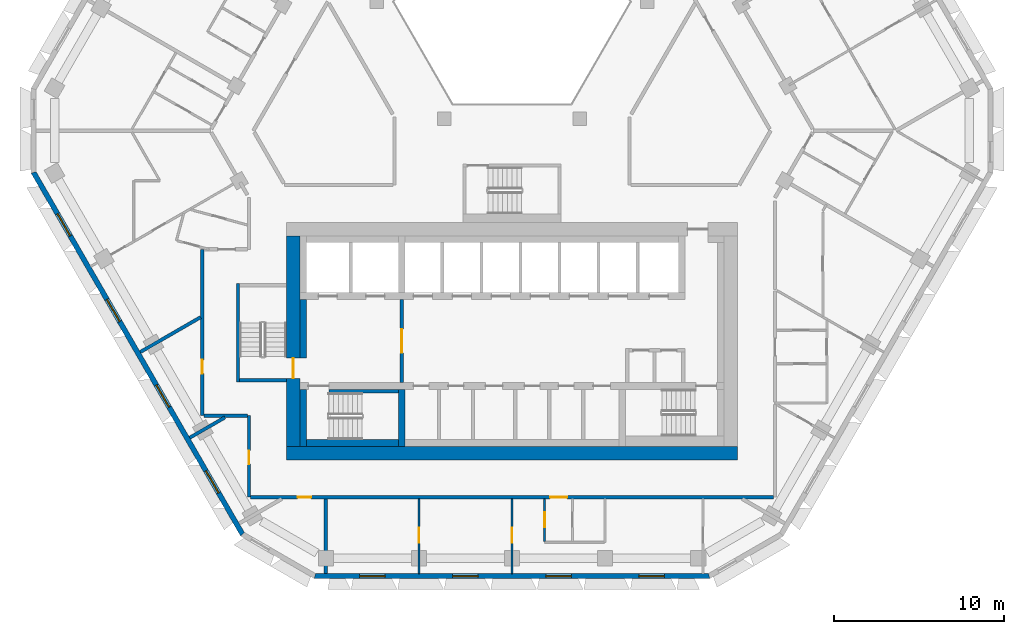
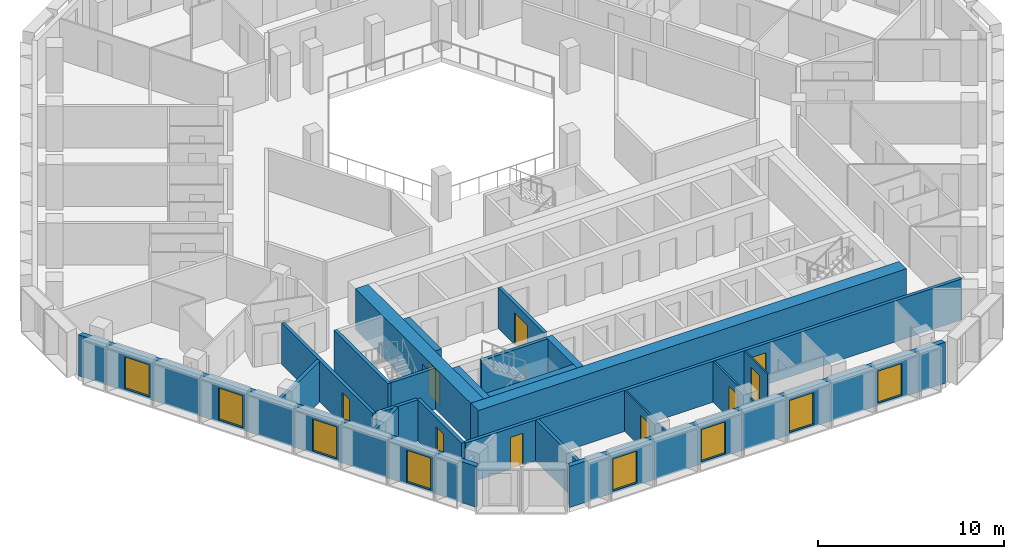
# One storey, part 3 of 15: 22 walls, 9 doors, 8 windows, 17 openings.
"""IFC4 building model written with IfcOpenShell, lengths in metres."""

import ifcopenshell
import ifcopenshell.guid

model = None  # the IFC model being written
_history = None  # IfcOwnerHistory: only IFC2X3 demands one
_inside = {}  # id of a spatial element -> (the spatial element, [elements in it])
_under = {}  # id of a project, library or spatial element -> (it, [spatial elements below it])
_declared = {}  # id of a project -> (the project, [libraries it declares])
_typed = {}  # id of a type object -> (the type object, [elements of that type])
_made_of = {}  # id of a material, layer set ... -> (it, [elements and type objects made of it])


def new_model(schema):
    """Start an empty IFC model of exactly this schema.

    Asked for "IFC4X3", IfcOpenShell would pick the latest addendum, in which some entities
    have other attributes; the version numbers below select the first issue.
    IFC2X3 requires an IfcOwnerHistory on every rooted entity: one is made here for all.
    """
    global model, _history
    if schema == "IFC4X3":
        model = ifcopenshell.file(schema_version=(4, 3, 0, 0))
    else:
        model = ifcopenshell.file(schema=schema)
    _inside.clear()
    _under.clear()
    _declared.clear()
    _typed.clear()
    _made_of.clear()
    _history = None
    if model.schema == "IFC2X3":
        org = make("IfcOrganization", Name="unknown")
        user = make(
            "IfcPersonAndOrganization",
            ThePerson=make("IfcPerson", FamilyName="unknown"),
            TheOrganization=org,
        )
        app = make(
            "IfcApplication",
            ApplicationDeveloper=org,
            Version="unknown",
            ApplicationFullName="unknown",
            ApplicationIdentifier="unknown",
        )
        _history = make(
            "IfcOwnerHistory",
            OwningUser=user,
            OwningApplication=app,
            ChangeAction="ADDED",
            CreationDate=0,
        )
    return model


def make(cls, **values):
    """One entity of the class cls with the attributes given. An attribute that is None is left unset."""
    return model.create_entity(
        cls, **{name: value for name, value in values.items() if value is not None}
    )


def rooted(cls, **values):
    """An entity with a GlobalId (a new one), such as an element, a storey or a relation."""
    return make(cls, GlobalId=ifcopenshell.guid.new(), OwnerHistory=_history, **values)


def si_unit(unit_type, name, prefix=None):
    """IfcSIUnit, for example si_unit("LENGTHUNIT", "METRE", prefix="MILLI")."""
    return make("IfcSIUnit", UnitType=unit_type, Prefix=prefix, Name=name)


def assignment(units):
    """IfcUnitAssignment: the units of a project."""
    return None if units is None else make("IfcUnitAssignment", Units=units)


def point(xyz):
    """IfcCartesianPoint."""
    return None if xyz is None else make("IfcCartesianPoint", Coordinates=xyz)


def direction(xyz):
    """IfcDirection."""
    return None if xyz is None else make("IfcDirection", DirectionRatios=xyz)


def frame(location, z_axis=None, x_axis=None):
    """IfcAxis2Placement3D, a coordinate frame: its origin and axes. An axis left out is left unset."""
    return make(
        "IfcAxis2Placement3D",
        Location=point(location),
        Axis=direction(z_axis),
        RefDirection=direction(x_axis),
    )


def frame_2d(location, x_axis=None):
    """IfcAxis2Placement2D, a coordinate frame in the plane: its origin and x axis."""
    return make(
        "IfcAxis2Placement2D", Location=point(location), RefDirection=direction(x_axis)
    )


def origin():
    """The frame at (0, 0, 0) with its axes left unset."""
    return frame((0.0, 0.0, 0.0))


def place(relative_to, where):
    """IfcLocalPlacement: puts the frame where relative to a parent placement (None: the world)."""
    return make(
        "IfcLocalPlacement", PlacementRelTo=relative_to, RelativePlacement=where
    )


def context(
    kind, dimensions, precision=None, world=None, true_north=None, identifier=None
):
    """IfcGeometricRepresentationContext, for example the 3D "Model" context."""
    return make(
        "IfcGeometricRepresentationContext",
        ContextIdentifier=identifier,
        ContextType=kind,
        CoordinateSpaceDimension=dimensions,
        Precision=precision,
        WorldCoordinateSystem=world,
        TrueNorth=true_north,
    )


def subcontext(parent, identifier, kind, view, scale=None):
    """IfcGeometricRepresentationSubContext, for example "Body" below "Model"."""
    return make(
        "IfcGeometricRepresentationSubContext",
        ContextIdentifier=identifier,
        ContextType=kind,
        ParentContext=parent,
        TargetScale=scale,
        TargetView=view,
    )


def project(units=None, contexts=None):
    """IfcProject with its units and contexts."""
    return rooted(
        "IfcProject",
        Name="project",
        RepresentationContexts=contexts,
        UnitsInContext=assignment(units),
    )


def spatial(cls, under=None, at=None, **own):
    """A site, building, storey or space (cls), placed at a placement, below another one or the project."""
    s = rooted(cls, ObjectPlacement=at, **own)
    if under is not None:
        _under.setdefault(under.id(), (under, []))[1].append(s)
    return s


def polyline(points):
    """IfcPolyline through the points."""
    return make("IfcPolyline", Points=[point(p) for p in points])


def profile(cls, at=None, kind="AREA", **sizes):
    """A parametric profile (cls). Its sizes go by their IFC names, for example OverallWidth=200.0."""
    return make(cls, ProfileType=kind, Position=at, **sizes)


def rectangle(**sizes):
    """IfcRectangleProfileDef."""
    return profile("IfcRectangleProfileDef", **sizes)


def outline(outer, holes=None, kind="AREA"):
    """IfcArbitraryClosedProfileDef: a profile drawn as a closed curve; with holes, ...WithVoids."""
    if holes is None:
        return make("IfcArbitraryClosedProfileDef", ProfileType=kind, OuterCurve=outer)
    return make(
        "IfcArbitraryProfileDefWithVoids",
        ProfileType=kind,
        OuterCurve=outer,
        InnerCurves=holes,
    )


def extrude(swept, where, along, depth):
    """IfcExtrudedAreaSolid: the profile swept, set in the frame where, extruded along a direction by depth."""
    return make(
        "IfcExtrudedAreaSolid",
        SweptArea=swept,
        Position=where,
        ExtrudedDirection=direction(along),
        Depth=depth,
    )


def shape(context_of_items, identifier, shape_type, items):
    """IfcShapeRepresentation: the items that make up one representation, for example the "Body"."""
    return make(
        "IfcShapeRepresentation",
        ContextOfItems=context_of_items,
        RepresentationIdentifier=identifier,
        RepresentationType=shape_type,
        Items=items,
    )


def material(Name=None, Category=None):
    """IfcMaterial."""
    return make("IfcMaterial", Name=Name, Category=Category)


def layer(
    of_material, thickness, ventilated=None, Name=None, Category=None, Priority=None
):
    """IfcMaterialLayer: one layer of a wall or slab, of a material (None: an air gap)."""
    return make(
        "IfcMaterialLayer",
        Material=of_material,
        LayerThickness=thickness,
        IsVentilated=ventilated,
        Name=Name,
        Category=Category,
        Priority=Priority,
    )


def layer_set(layers, Name=None):
    """IfcMaterialLayerSet."""
    return make("IfcMaterialLayerSet", MaterialLayers=layers, LayerSetName=Name)


def made_of(thing, what):
    """Note that an element or type object is made of a material, layer set ...; save() writes the relation."""
    if what is not None:
        _made_of.setdefault(what.id(), (what, []))[1].append(thing)
    return thing


def type_object(cls, material=None, **own):
    """A type object (cls), such as IfcWallType, which elements share."""
    return made_of(rooted(cls, **own), material)


def element(
    cls,
    number,
    at=None,
    inside=None,
    cuts=None,
    type_object=None,
    material=None,
    context=None,
    identifier="Body",
    shape_type=None,
    held_by="IfcProductDefinitionShape",
    body=None,
    shapes=None,
    **own,
):
    """One element of the class cls, such as IfcWall. Its Tag is "e" and its number.

    at: its placement. inside: the storey or other place that contains it. cuts: it is an
    opening in that element (IfcRelVoidsElement). A single representation is given by context,
    identifier, shape_type and body (its items); several are given by shapes. held_by: the class
    of the entity that holds the representations. save() writes the other relations.
    """
    e = rooted(cls, Tag="e%d" % number, ObjectPlacement=at, **own)
    if body is not None:
        shapes = [shape(context, identifier, shape_type, body)]
    if shapes is not None:
        e.Representation = make(held_by, Representations=shapes)
    if inside is not None:
        _inside.setdefault(inside.id(), (inside, []))[1].append(e)
    if cuts is not None:
        rooted(
            "IfcRelVoidsElement", RelatingBuildingElement=cuts, RelatedOpeningElement=e
        )
    if type_object is not None:
        _typed.setdefault(type_object.id(), (type_object, []))[1].append(e)
    return made_of(e, material)


def fill(opening, filler):
    """IfcRelFillsElement: the door or window that sits in an opening."""
    return rooted(
        "IfcRelFillsElement",
        RelatingOpeningElement=opening,
        RelatedBuildingElement=filler,
    )


def aggregate(whole, parts):
    """IfcRelAggregates: a whole, such as a stair, and the parts it consists of."""
    return rooted("IfcRelAggregates", RelatingObject=whole, RelatedObjects=parts)


def save(model, path):
    """Write the relations noted so far, then the file.

    IfcRelAggregates (storeys below a building ...), IfcRelContainedInSpatialStructure (elements
    in a storey), IfcRelDefinesByType, IfcRelAssociatesMaterial and IfcRelDeclares: one each for
    every whole, place, type object, material and project.
    """
    for whole, parts in _under.values():
        aggregate(whole, parts)
    for where, things in _inside.values():
        rooted(
            "IfcRelContainedInSpatialStructure",
            RelatedElements=things,
            RelatingStructure=where,
        )
    for kind, things in _typed.values():
        rooted("IfcRelDefinesByType", RelatedObjects=things, RelatingType=kind)
    for what, things in _made_of.values():
        rooted("IfcRelAssociatesMaterial", RelatedObjects=things, RelatingMaterial=what)
    for by, libraries in _declared.values():
        rooted("IfcRelDeclares", RelatingContext=by, RelatedDefinitions=libraries)
    model.write(path)


model = new_model("IFC4")

# Units and contexts
model_context = context("Model", 3, precision=1e-05, world=origin(), true_north=direction((0.0, 1.0)))
body_context = subcontext(model_context, "Body", "Model", "MODEL_VIEW")
ifc_project = project(units=[si_unit("LENGTHUNIT", "METRE"), si_unit("AREAUNIT", "SQUARE_METRE"), si_unit("VOLUMEUNIT", "CUBIC_METRE"), si_unit("PLANEANGLEUNIT", "RADIAN"), si_unit("MASSUNIT", "GRAM", prefix="KILO")], contexts=[model_context])

# Site, building, storey
site_placement = place(None, origin())
site = spatial("IfcSite", under=ifc_project, at=site_placement, CompositionType="ELEMENT")
building_placement = place(site_placement, origin())
building = spatial("IfcBuilding", under=site, at=building_placement, Name="Beryl Residences", CompositionType="ELEMENT")
storey_placement = place(building_placement, frame((0.0, 0.0, 135.60009765625)))
storey = spatial("IfcBuildingStorey", under=building, at=storey_placement, Name="L41", CompositionType="ELEMENT", Elevation=135.60009765625)

# Wall, openings, windows
ifc_material_1 = material(Name="Composite metal panel with mineral wool insulation")
ifc_layer_1 = layer(ifc_material_1, 0.300048828125)
ifc_layer_set_1 = layer_set([ifc_layer_1], Name="ES1 pale metal composite panel wall 300 mm")
wall_type_1 = type_object("IfcWallType", Name="ES1 pale metal composite panel wall 300 mm", PredefinedType="SOLIDWALL", material=ifc_layer_set_1)
wall_1_placement = place(storey_placement, frame((-28.218017578125, -2.02490234375, 0.0), z_axis=(0.0, 0.0, 1.0), x_axis=(0.500017503135, -0.866015298109, 0.0)))
wall_1 = element("IfcWall", 1, at=wall_1_placement, inside=storey, type_object=wall_type_1, Name="ES1 external wall L41 SW", PredefinedType="SOLIDWALL", context=body_context, shape_type="SweptSolid", body=[
    extrude(outline(polyline([(0.0, -0.14990234375), (24.7109375, -0.14990234375), (24.630615234375, 0.14990234375), (0.080322265625, 0.14990234375), (0.0, -0.14990234375)])), origin(), (0.0, 0.0, 1.0), 2.699951171875),
])
opening_1_placement = place(wall_1_placement, frame((2.85693359375, 0.0, 0.14990234375)))
opening_1 = element("IfcOpeningElement", 2, at=opening_1_placement, cuts=wall_1, Name="Opening W1", PredefinedType="OPENING", context=body_context, shape_type="SweptSolid", body=[
    extrude(rectangle(XDim=1.5, YDim=2.10009765625, at=frame_2d((0.75, 1.050048828125))), frame((0.0, 0.159912109375, 0.0), z_axis=(0.0, -1.0, 0.0), x_axis=(1.0, 0.0, 0.0)), (0.0, 0.0, 1.0), 0.320068359375),
])
opening_2_placement = place(wall_1_placement, frame((8.68896484375, 0.0, 0.14990234375)))
opening_2 = element("IfcOpeningElement", 3, at=opening_2_placement, cuts=wall_1, Name="Opening W1", PredefinedType="OPENING", context=body_context, shape_type="SweptSolid", body=[
    extrude(rectangle(XDim=1.5, YDim=2.10009765625, at=frame_2d((0.75, 1.050048828125))), frame((0.0, 0.159912109375, 0.0), z_axis=(0.0, -1.0, 0.0), x_axis=(1.0, 0.0, 0.0)), (0.0, 0.0, 1.0), 0.320068359375),
])
opening_3_placement = place(wall_1_placement, frame((14.52001953125, 0.0, 0.14990234375)))
opening_3 = element("IfcOpeningElement", 4, at=opening_3_placement, cuts=wall_1, Name="Opening W1", PredefinedType="OPENING", context=body_context, shape_type="SweptSolid", body=[
    extrude(rectangle(XDim=1.5, YDim=2.10009765625, at=frame_2d((0.75, 1.050048828125))), frame((0.0, 0.159912109375, 0.0), z_axis=(0.0, -1.0, 0.0), x_axis=(1.0, 0.0, 0.0)), (0.0, 0.0, 1.0), 0.320068359375),
])
opening_4_placement = place(wall_1_placement, frame((20.35107421875, 0.0, 0.14990234375)))
opening_4 = element("IfcOpeningElement", 5, at=opening_4_placement, cuts=wall_1, Name="Opening W1", PredefinedType="OPENING", context=body_context, shape_type="SweptSolid", body=[
    extrude(rectangle(XDim=1.5, YDim=2.10009765625, at=frame_2d((0.75, 1.050048828125))), frame((0.0, 0.159912109375, 0.0), z_axis=(0.0, -1.0, 0.0), x_axis=(1.0, 0.0, 0.0)), (0.0, 0.0, 1.0), 0.320068359375),
])
ifc_material_2 = material(Name="Aluminium and clear glass", Category="aluminium")
window_type = type_object("IfcWindowType", Name="W1 cell window 1500 x 2100 mm", PartitioningType="SINGLE_PANEL", PredefinedType="WINDOW", material=ifc_material_2)
window_1_placement = place(opening_1_placement, origin())
window_1 = element("IfcWindow", 6, at=window_1_placement, inside=storey, type_object=window_type, Name="W1 window L41 SW 2", OverallHeight=2.10009765625, OverallWidth=1.5, PartitioningType="SINGLE_PANEL", PredefinedType="WINDOW", context=body_context, shape_type="SweptSolid", body=[
    extrude(rectangle(XDim=1.5, YDim=2.10009765625, at=frame_2d((0.75, 1.050048828125))), frame((0.0, 0.030029296875, 0.0), z_axis=(0.0, -1.0, 0.0), x_axis=(1.0, 0.0, 0.0)), (0.0, 0.0, 1.0), 0.06005859375),
])
fill(opening_1, window_1)
window_2_placement = place(opening_2_placement, origin())
window_2 = element("IfcWindow", 7, at=window_2_placement, inside=storey, type_object=window_type, Name="W1 window L41 SW 4", OverallHeight=2.10009765625, OverallWidth=1.5, PartitioningType="SINGLE_PANEL", PredefinedType="WINDOW", context=body_context, shape_type="SweptSolid", body=[
    extrude(rectangle(XDim=1.5, YDim=2.10009765625, at=frame_2d((0.75, 1.050048828125))), frame((0.0, 0.030029296875, 0.0), z_axis=(0.0, -1.0, 0.0), x_axis=(1.0, 0.0, 0.0)), (0.0, 0.0, 1.0), 0.06005859375),
])
fill(opening_2, window_2)
window_3_placement = place(opening_3_placement, origin())
window_3 = element("IfcWindow", 8, at=window_3_placement, inside=storey, type_object=window_type, Name="W1 window L41 SW 6", OverallHeight=2.10009765625, OverallWidth=1.5, PartitioningType="SINGLE_PANEL", PredefinedType="WINDOW", context=body_context, shape_type="SweptSolid", body=[
    extrude(rectangle(XDim=1.5, YDim=2.10009765625, at=frame_2d((0.75, 1.050048828125))), frame((0.0, 0.030029296875, 0.0), z_axis=(0.0, -1.0, 0.0), x_axis=(1.0, 0.0, 0.0)), (0.0, 0.0, 1.0), 0.06005859375),
])
fill(opening_3, window_3)
window_4_placement = place(opening_4_placement, origin())
window_4 = element("IfcWindow", 9, at=window_4_placement, inside=storey, type_object=window_type, Name="W1 window L41 SW 8", OverallHeight=2.10009765625, OverallWidth=1.5, PartitioningType="SINGLE_PANEL", PredefinedType="WINDOW", context=body_context, shape_type="SweptSolid", body=[
    extrude(rectangle(XDim=1.5, YDim=2.10009765625, at=frame_2d((0.75, 1.050048828125))), frame((0.0, 0.030029296875, 0.0), z_axis=(0.0, -1.0, 0.0), x_axis=(1.0, 0.0, 0.0)), (0.0, 0.0, 1.0), 0.06005859375),
])
fill(opening_4, window_4)

wall_2_placement = place(storey_placement, frame((-11.662109375, -25.85009765625, 0.0), z_axis=(0.0, 0.0, 1.0), x_axis=(1.0, 0.0, 0.0)))
wall_2 = element("IfcWall", 10, at=wall_2_placement, inside=storey, type_object=wall_type_1, Name="ES1 external wall L41 S", PredefinedType="SOLIDWALL", context=body_context, shape_type="SweptSolid", body=[
    extrude(outline(polyline([(0.0, -0.14990234375), (23.32421875, -0.14990234375), (23.243896484375, 0.14990234375), (0.080322265625, 0.14990234375), (0.0, -0.14990234375)])), origin(), (0.0, 0.0, 1.0), 2.699951171875),
])
opening_5_placement = place(wall_2_placement, frame((2.68603515625, 0.0, 0.14990234375)))
opening_5 = element("IfcOpeningElement", 11, at=opening_5_placement, cuts=wall_2, Name="Opening W1", PredefinedType="OPENING", context=body_context, shape_type="SweptSolid", body=[
    extrude(rectangle(XDim=1.5, YDim=2.10009765625, at=frame_2d((0.75, 1.050048828125))), frame((0.0, 0.159912109375, 0.0), z_axis=(0.0, -1.0, 0.0), x_axis=(1.0, 0.0, 0.0)), (0.0, 0.0, 1.0), 0.320068359375),
])
opening_6_placement = place(wall_2_placement, frame((8.169921875, 0.0, 0.14990234375)))
opening_6 = element("IfcOpeningElement", 12, at=opening_6_placement, cuts=wall_2, Name="Opening W1", PredefinedType="OPENING", context=body_context, shape_type="SweptSolid", body=[
    extrude(rectangle(XDim=1.5, YDim=2.10009765625, at=frame_2d((0.75, 1.050048828125))), frame((0.0, 0.159912109375, 0.0), z_axis=(0.0, -1.0, 0.0), x_axis=(1.0, 0.0, 0.0)), (0.0, 0.0, 1.0), 0.320068359375),
])
opening_7_placement = place(wall_2_placement, frame((13.656005859375, 0.0, 0.14990234375)))
opening_7 = element("IfcOpeningElement", 13, at=opening_7_placement, cuts=wall_2, Name="Opening W1", PredefinedType="OPENING", context=body_context, shape_type="SweptSolid", body=[
    extrude(rectangle(XDim=1.5, YDim=2.10009765625, at=frame_2d((0.75, 1.050048828125))), frame((0.0, 0.159912109375, 0.0), z_axis=(0.0, -1.0, 0.0), x_axis=(1.0, 0.0, 0.0)), (0.0, 0.0, 1.0), 0.320068359375),
])
opening_8_placement = place(wall_2_placement, frame((19.14111328125, 0.0, 0.14990234375)))
opening_8 = element("IfcOpeningElement", 14, at=opening_8_placement, cuts=wall_2, Name="Opening W1", PredefinedType="OPENING", context=body_context, shape_type="SweptSolid", body=[
    extrude(rectangle(XDim=1.5, YDim=2.10009765625, at=frame_2d((0.75, 1.050048828125))), frame((0.0, 0.159912109375, 0.0), z_axis=(0.0, -1.0, 0.0), x_axis=(1.0, 0.0, 0.0)), (0.0, 0.0, 1.0), 0.320068359375),
])
window_5_placement = place(opening_5_placement, origin())
window_5 = element("IfcWindow", 15, at=window_5_placement, inside=storey, type_object=window_type, Name="W1 window L41 S 2", OverallHeight=2.10009765625, OverallWidth=1.5, PartitioningType="SINGLE_PANEL", PredefinedType="WINDOW", context=body_context, shape_type="SweptSolid", body=[
    extrude(rectangle(XDim=1.5, YDim=2.10009765625, at=frame_2d((0.75, 1.050048828125))), frame((0.0, 0.030029296875, 0.0), z_axis=(0.0, -1.0, 0.0), x_axis=(1.0, 0.0, 0.0)), (0.0, 0.0, 1.0), 0.06005859375),
])
fill(opening_5, window_5)
window_6_placement = place(opening_6_placement, origin())
window_6 = element("IfcWindow", 16, at=window_6_placement, inside=storey, type_object=window_type, Name="W1 window L41 S 4", OverallHeight=2.10009765625, OverallWidth=1.5, PartitioningType="SINGLE_PANEL", PredefinedType="WINDOW", context=body_context, shape_type="SweptSolid", body=[
    extrude(rectangle(XDim=1.5, YDim=2.10009765625, at=frame_2d((0.75, 1.050048828125))), frame((0.0, 0.030029296875, 0.0), z_axis=(0.0, -1.0, 0.0), x_axis=(1.0, 0.0, 0.0)), (0.0, 0.0, 1.0), 0.06005859375),
])
fill(opening_6, window_6)
window_7_placement = place(opening_7_placement, origin())
window_7 = element("IfcWindow", 17, at=window_7_placement, inside=storey, type_object=window_type, Name="W1 window L41 S 6", OverallHeight=2.10009765625, OverallWidth=1.5, PartitioningType="SINGLE_PANEL", PredefinedType="WINDOW", context=body_context, shape_type="SweptSolid", body=[
    extrude(rectangle(XDim=1.5, YDim=2.10009765625, at=frame_2d((0.75, 1.050048828125))), frame((0.0, 0.030029296875, 0.0), z_axis=(0.0, -1.0, 0.0), x_axis=(1.0, 0.0, 0.0)), (0.0, 0.0, 1.0), 0.06005859375),
])
fill(opening_7, window_7)
window_8_placement = place(opening_8_placement, origin())
window_8 = element("IfcWindow", 18, at=window_8_placement, inside=storey, type_object=window_type, Name="W1 window L41 S 8", OverallHeight=2.10009765625, OverallWidth=1.5, PartitioningType="SINGLE_PANEL", PredefinedType="WINDOW", context=body_context, shape_type="SweptSolid", body=[
    extrude(rectangle(XDim=1.5, YDim=2.10009765625, at=frame_2d((0.75, 1.050048828125))), frame((0.0, 0.030029296875, 0.0), z_axis=(0.0, -1.0, 0.0), x_axis=(1.0, 0.0, 0.0)), (0.0, 0.0, 1.0), 0.06005859375),
])
fill(opening_8, window_8)

# Wall, opening, door
ifc_material_3 = material(Name="Gypsum board partition on steel studs", Category="steel")
ifc_layer_2 = layer(ifc_material_3, 0.10009765625)
ifc_layer_set_2 = layer_set([ifc_layer_2], Name="PT1 partition 100 mm gypsum board on steel studs")
wall_type_2 = type_object("IfcWallType", Name="PT1 partition 100 mm gypsum board on steel studs", PredefinedType="PARTITIONING", material=ifc_layer_set_2)
wall_3_placement = place(storey_placement, frame((1.9208984375, -21.300048828125, 0.0), z_axis=(0.0, 0.0, 1.0), x_axis=(0.0, -1.0, 0.0)))
wall_3 = element("IfcWall", 19, at=wall_3_placement, inside=storey, type_object=wall_type_2, Name="Wall PT1 L41 006", PredefinedType="PARTITIONING", context=body_context, shape_type="SweptSolid", body=[
    extrude(rectangle(XDim=2.509033203125, YDim=0.10009765625, at=frame_2d((1.25439453125, 0.0))), origin(), (0.0, 0.0, 1.0), 2.699951171875),
])
opening_9_placement = place(wall_3_placement, frame((0.780029296875, 0.0, 0.0)))
opening_9 = element("IfcOpeningElement", 20, at=opening_9_placement, cuts=wall_3, Name="Opening D1302", PredefinedType="OPENING", context=body_context, shape_type="SweptSolid", body=[
    extrude(rectangle(XDim=0.89990234375, YDim=2.10009765625, at=frame_2d((0.449951171875, 1.050048828125))), frame((0.0, 0.06005859375, 0.0), z_axis=(0.0, -1.0, 0.0), x_axis=(1.0, 0.0, 0.0)), (0.0, 0.0, 1.0), 0.1201171875),
])
ifc_material_4 = material(Name="Timber door leaf", Category="wood")
door_type_1 = type_object("IfcDoorType", Name="D2 room door 900 x 2100 mm", OperationType="SINGLE_SWING_LEFT", PredefinedType="DOOR", material=ifc_material_4)
door_1_placement = place(opening_9_placement, origin())
door_1 = element("IfcDoor", 21, at=door_1_placement, inside=storey, type_object=door_type_1, Name="Door D1302 L41 001", OperationType="SINGLE_SWING_RIGHT", OverallHeight=2.10009765625, OverallWidth=0.89990234375, PredefinedType="DOOR", context=body_context, shape_type="SweptSolid", body=[
    extrude(rectangle(XDim=0.89990234375, YDim=2.10009765625, at=frame_2d((0.449951171875, 1.050048828125))), frame((0.0, 0.02490234375, 0.0), z_axis=(0.0, -1.0, 0.0), x_axis=(1.0, 0.0, 0.0)), (0.0, 0.0, 1.0), 0.050048828125),
])
fill(opening_9, door_1)

wall_4_placement = place(storey_placement, frame((0.0009765625, -25.699951171875, 0.0), z_axis=(0.0, 0.0, 1.0), x_axis=(0.0, 1.0, 0.0)))
wall_4 = element("IfcWall", 22, at=wall_4_placement, inside=storey, type_object=wall_type_2, Name="Wall PT1 L41 042", PredefinedType="PARTITIONING", context=body_context, shape_type="SweptSolid", body=[
    extrude(rectangle(XDim=4.39990234375, YDim=0.10009765625, at=frame_2d((2.199951171875, 0.0))), origin(), (0.0, 0.0, 1.0), 2.699951171875),
])
opening_10_placement = place(wall_4_placement, frame((1.800048828125, 0.0, 0.0)))
opening_10 = element("IfcOpeningElement", 23, at=opening_10_placement, cuts=wall_4, Name="Opening D1305", PredefinedType="OPENING", context=body_context, shape_type="SweptSolid", body=[
    extrude(rectangle(XDim=0.89990234375, YDim=2.10009765625, at=frame_2d((0.449951171875, 1.050048828125))), frame((0.0, 0.06005859375, 0.0), z_axis=(0.0, -1.0, 0.0), x_axis=(1.0, 0.0, 0.0)), (0.0, 0.0, 1.0), 0.1201171875),
])
door_2_placement = place(opening_10_placement, origin())
door_2 = element("IfcDoor", 24, at=door_2_placement, inside=storey, type_object=door_type_1, Name="Door D1305 L41 001", OperationType="SINGLE_SWING_LEFT", OverallHeight=2.10009765625, OverallWidth=0.89990234375, PredefinedType="DOOR", context=body_context, shape_type="SweptSolid", body=[
    extrude(rectangle(XDim=0.89990234375, YDim=2.10009765625, at=frame_2d((0.449951171875, 1.050048828125))), frame((0.0, 0.02490234375, 0.0), z_axis=(0.0, -1.0, 0.0), x_axis=(1.0, 0.0, 0.0)), (0.0, 0.0, 1.0), 0.050048828125),
])
fill(opening_10, door_2)

wall_5_placement = place(storey_placement, frame((-5.48388671875, -25.699951171875, 0.0), z_axis=(0.0, 0.0, 1.0), x_axis=(0.0, 1.0, 0.0)))
wall_5 = element("IfcWall", 25, at=wall_5_placement, inside=storey, type_object=wall_type_2, Name="Wall PT1 L41 044", PredefinedType="PARTITIONING", context=body_context, shape_type="SweptSolid", body=[
    extrude(rectangle(XDim=4.39990234375, YDim=0.10009765625, at=frame_2d((2.199951171875, 0.0))), origin(), (0.0, 0.0, 1.0), 2.699951171875),
])
opening_11_placement = place(wall_5_placement, frame((1.800048828125, 0.0, 0.0)))
opening_11 = element("IfcOpeningElement", 26, at=opening_11_placement, cuts=wall_5, Name="Opening D1306", PredefinedType="OPENING", context=body_context, shape_type="SweptSolid", body=[
    extrude(rectangle(XDim=0.89990234375, YDim=2.10009765625, at=frame_2d((0.449951171875, 1.050048828125))), frame((0.0, 0.06005859375, 0.0), z_axis=(0.0, -1.0, 0.0), x_axis=(1.0, 0.0, 0.0)), (0.0, 0.0, 1.0), 0.1201171875),
])
door_3_placement = place(opening_11_placement, origin())
door_3 = element("IfcDoor", 27, at=door_3_placement, inside=storey, type_object=door_type_1, Name="Door D1306 L41 001", OperationType="SINGLE_SWING_RIGHT", OverallHeight=2.10009765625, OverallWidth=0.89990234375, PredefinedType="DOOR", context=body_context, shape_type="SweptSolid", body=[
    extrude(rectangle(XDim=0.89990234375, YDim=2.10009765625, at=frame_2d((0.449951171875, 1.050048828125))), frame((0.0, 0.02490234375, 0.0), z_axis=(0.0, -1.0, 0.0), x_axis=(1.0, 0.0, 0.0)), (0.0, 0.0, 1.0), 0.050048828125),
])
fill(opening_11, door_3)

ifc_material_5 = material(Name="Concrete masonry", Category="masonry")
ifc_layer_3 = layer(ifc_material_5, 0.199951171875)
ifc_layer_set_3 = layer_set([ifc_layer_3], Name="PT13 lobby wall 200 mm")
wall_type_3 = type_object("IfcWallType", Name="PT13 lobby wall 200 mm", PredefinedType="PARTITIONING", material=ifc_layer_set_3)
wall_6_placement = place(storey_placement, frame((-6.5, -14.449951171875, 0.0), z_axis=(0.0, 0.0, 1.0), x_axis=(0.0, 1.0, 0.0)))
wall_6 = element("IfcWall", 28, at=wall_6_placement, inside=storey, type_object=wall_type_3, Name="Lobby wall 11", PredefinedType="PARTITIONING", context=body_context, shape_type="SweptSolid", body=[
    extrude(rectangle(XDim=4.89990234375, YDim=0.199951171875, at=frame_2d((2.449951171875, 0.0))), origin(), (0.0, 0.0, 1.0), 2.699951171875),
])
opening_12_placement = place(wall_6_placement, frame((3.14990234375, 0.0, 0.0), z_axis=(0.0, 0.0, 1.0), x_axis=(-1.0, 0.0, 0.0)))
opening_12 = element("IfcOpeningElement", 29, at=opening_12_placement, cuts=wall_6, Name="Opening FD-FFL", PredefinedType="OPENING", context=body_context, shape_type="SweptSolid", body=[
    extrude(rectangle(XDim=1.39990234375, YDim=2.10009765625, at=frame_2d((0.699951171875, 1.050048828125))), frame((0.0, 0.10986328125, 0.0), z_axis=(0.0, -1.0, 0.0), x_axis=(1.0, 0.0, 0.0)), (0.0, 0.0, 1.0), 0.219970703125),
])
ifc_material_6 = material(Name="Steel door leaf in steel frame", Category="steel")
door_type_2 = type_object("IfcDoorType", Name="D5 lobby door 1400 x 2100 mm", OperationType="DOUBLE_DOOR_SINGLE_SWING", PredefinedType="DOOR", material=ifc_material_6)
door_4_placement = place(opening_12_placement, origin())
door_4 = element("IfcDoor", 30, at=door_4_placement, inside=storey, type_object=door_type_2, Name="Door FD-FFL L41 001", OperationType="DOUBLE_DOOR_SINGLE_SWING", OverallHeight=2.10009765625, OverallWidth=1.39990234375, PredefinedType="DOOR", context=body_context, shape_type="SweptSolid", body=[
    extrude(rectangle(XDim=1.39990234375, YDim=2.10009765625, at=frame_2d((0.699951171875, 1.050048828125))), frame((0.0, 0.02490234375, 0.0), z_axis=(0.0, -1.0, 0.0), x_axis=(1.0, 0.0, 0.0)), (0.0, 0.0, 1.0), 0.050048828125),
])
fill(opening_12, door_4)

# Walls
ifc_material_7 = material(Name="Concrete masonry", Category="masonry")
ifc_layer_4 = layer(ifc_material_7, 0.39990234375)
ifc_layer_set_4 = layer_set([ifc_layer_4], Name="PT13-400 lobby wall 400 mm")
wall_type_4 = type_object("IfcWallType", Name="PT13-400 lobby wall 400 mm", PredefinedType="PARTITIONING", material=ifc_layer_set_4)
wall_7_placement = place(storey_placement, frame((-12.300048828125, -13.0, 0.0), z_axis=(0.0, 0.0, 1.0), x_axis=(0.0, 1.0, 0.0)))
element("IfcWall", 31, at=wall_7_placement, inside=storey, type_object=wall_type_4, Name="Lobby wall 05", PredefinedType="PARTITIONING", context=body_context, shape_type="SweptSolid", body=[
    extrude(rectangle(XDim=3.449951171875, YDim=0.39990234375, at=frame_2d((1.72509765625, 0.0))), origin(), (0.0, 0.0, 1.0), 2.699951171875),
])
ifc_material_8 = material(Name="Acoustic double stud gypsum board wall")
ifc_layer_5 = layer(ifc_material_8, 0.199951171875)
ifc_layer_set_5 = layer_set([ifc_layer_5], Name="PT3 party wall 200 mm acoustic double stud")
wall_type_5 = type_object("IfcWallType", Name="PT3 party wall 200 mm acoustic double stud", PredefinedType="PARTITIONING", material=ifc_layer_set_5)
wall_8_placement = place(storey_placement, frame((-10.968994140625, -25.699951171875, 0.0), z_axis=(0.0, 0.0, 1.0), x_axis=(0.0, 1.0, 0.0)))
element("IfcWall", 32, at=wall_8_placement, inside=storey, type_object=wall_type_5, Name="Wall PT3 L41 009", PredefinedType="PARTITIONING", context=body_context, shape_type="SweptSolid", body=[
    extrude(rectangle(XDim=4.39990234375, YDim=0.199951171875, at=frame_2d((2.199951171875, 0.0))), origin(), (0.0, 0.0, 1.0), 2.699951171875),
])
wall_9_placement = place(storey_placement, frame((-18.9951171875, -17.698974609375, 0.0), z_axis=(0.0, 0.0, 1.0), x_axis=(0.86607371389, 0.499916315105, 0.0)))
element("IfcWall", 33, at=wall_9_placement, inside=storey, type_object=wall_type_5, Name="Wall PT3 L41 010", PredefinedType="PARTITIONING", context=body_context, shape_type="SweptSolid", body=[
    extrude(rectangle(XDim=2.3984375, YDim=0.199951171875, at=frame_2d((1.19921875, 0.0))), origin(), (0.0, 0.0, 1.0), 2.699951171875),
])
wall_10_placement = place(storey_placement, frame((-21.910888671875, -12.64892578125, 0.0), z_axis=(0.0, 0.0, 1.0), x_axis=(0.866016499285, 0.500015422728, 0.0)))
element("IfcWall", 34, at=wall_10_placement, inside=storey, type_object=wall_type_5, Name="Wall PT3 L41 013", PredefinedType="PARTITIONING", context=body_context, shape_type="SweptSolid", body=[
    extrude(rectangle(XDim=4.111572265625, YDim=0.199951171875, at=frame_2d((2.0556640625, 0.0))), origin(), (0.0, 0.0, 1.0), 2.699951171875),
])
ifc_material_9 = material(Name="Double stud gypsum board wall")
ifc_layer_6 = layer(ifc_material_9, 0.199951171875)
ifc_layer_set_6 = layer_set([ifc_layer_6], Name="PT4 corridor wall 200 mm double stud")
wall_type_6 = type_object("IfcWallType", Name="PT4 corridor wall 200 mm double stud", PredefinedType="PARTITIONING", material=ifc_layer_set_6)
wall_11_placement = place(storey_placement, frame((-18.14990234375, -16.39990234375, 0.0), z_axis=(0.0, 0.0, 1.0), x_axis=(1.0, 0.0, 0.0)))
element("IfcWall", 35, at=wall_11_placement, inside=storey, type_object=wall_type_6, Name="Wall PT4 L41 010", PredefinedType="PARTITIONING", context=body_context, shape_type="SweptSolid", body=[
    extrude(rectangle(XDim=2.5498046875, YDim=0.199951171875, at=frame_2d((1.27490234375, 0.0))), origin(), (0.0, 0.0, 1.0), 2.699951171875),
])

# Wall, openings, doors
wall_12_placement = place(storey_placement, frame((-15.39990234375, -21.199951171875, 0.0), z_axis=(0.0, 0.0, 1.0), x_axis=(1.0, 0.0, 0.0)))
wall_12 = element("IfcWall", 36, at=wall_12_placement, inside=storey, type_object=wall_type_6, Name="Wall PT4 L41 011", PredefinedType="PARTITIONING", context=body_context, shape_type="SweptSolid", body=[
    extrude(rectangle(XDim=30.798828125, YDim=0.199951171875, at=frame_2d((15.3994140625, 0.0))), origin(), (0.0, 0.0, 1.0), 2.699951171875),
])
opening_13_placement = place(wall_12_placement, frame((17.64306640625, 0.0, 0.0)))
opening_13 = element("IfcOpeningElement", 37, at=opening_13_placement, cuts=wall_12, Name="Opening D1301", PredefinedType="OPENING", context=body_context, shape_type="SweptSolid", body=[
    extrude(rectangle(XDim=1.0, YDim=2.10009765625, at=frame_2d((0.5, 1.050048828125))), frame((0.0, 0.10986328125, 0.0), z_axis=(0.0, -1.0, 0.0), x_axis=(1.0, 0.0, 0.0)), (0.0, 0.0, 1.0), 0.219970703125),
])
opening_14_placement = place(wall_12_placement, frame((2.764892578125, 0.0, 0.0)))
opening_14 = element("IfcOpeningElement", 38, at=opening_14_placement, cuts=wall_12, Name="Opening D1355", PredefinedType="OPENING", context=body_context, shape_type="SweptSolid", body=[
    extrude(rectangle(XDim=0.800048828125, YDim=2.10009765625, at=frame_2d((0.39990234375, 1.050048828125))), frame((0.0, 0.10986328125, 0.0), z_axis=(0.0, -1.0, 0.0), x_axis=(1.0, 0.0, 0.0)), (0.0, 0.0, 1.0), 0.219970703125),
])
ifc_material_10 = material(Name="Timber door leaf", Category="wood")
door_type_3 = type_object("IfcDoorType", Name="D1 flat entrance door 1000 x 2100 mm", OperationType="SINGLE_SWING_LEFT", PredefinedType="DOOR", material=ifc_material_10)
door_5_placement = place(opening_13_placement, origin())
door_5 = element("IfcDoor", 39, at=door_5_placement, inside=storey, type_object=door_type_3, Name="Door D1301 L41 001", OperationType="SINGLE_SWING_LEFT", OverallHeight=2.10009765625, OverallWidth=1.0, PredefinedType="DOOR", context=body_context, shape_type="SweptSolid", body=[
    extrude(rectangle(XDim=1.0, YDim=2.10009765625, at=frame_2d((0.5, 1.050048828125))), frame((0.0, 0.02490234375, 0.0), z_axis=(0.0, -1.0, 0.0), x_axis=(1.0, 0.0, 0.0)), (0.0, 0.0, 1.0), 0.050048828125),
])
fill(opening_13, door_5)
ifc_material_11 = material(Name="Timber door leaf", Category="wood")
door_type_4 = type_object("IfcDoorType", Name="D3 bathroom door 800 x 2100 mm", OperationType="SINGLE_SWING_LEFT", PredefinedType="DOOR", material=ifc_material_11)
door_6_placement = place(opening_14_placement, origin())
door_6 = element("IfcDoor", 40, at=door_6_placement, inside=storey, type_object=door_type_4, Name="Door D1355 L41 001", OperationType="SINGLE_SWING_LEFT", OverallHeight=2.10009765625, OverallWidth=0.800048828125, PredefinedType="DOOR", context=body_context, shape_type="SweptSolid", body=[
    extrude(rectangle(XDim=0.800048828125, YDim=2.10009765625, at=frame_2d((0.39990234375, 1.050048828125))), frame((0.0, 0.02490234375, 0.0), z_axis=(0.0, -1.0, 0.0), x_axis=(1.0, 0.0, 0.0)), (0.0, 0.0, 1.0), 0.050048828125),
])
fill(opening_14, door_6)

# Wall, opening, door
wall_13_placement = place(storey_placement, frame((-15.5, -21.199951171875, 0.0), z_axis=(0.0, 0.0, 1.0), x_axis=(0.0, 1.0, 0.0)))
wall_13 = element("IfcWall", 41, at=wall_13_placement, inside=storey, type_object=wall_type_6, Name="Wall PT4 L41 027", PredefinedType="PARTITIONING", context=body_context, shape_type="SweptSolid", body=[
    extrude(rectangle(XDim=4.800048828125, YDim=0.199951171875, at=frame_2d((2.39990234375, 0.0))), origin(), (0.0, 0.0, 1.0), 2.699951171875),
])
opening_15_placement = place(wall_13_placement, frame((1.93994140625, 0.0, 0.0)))
opening_15 = element("IfcOpeningElement", 42, at=opening_15_placement, cuts=wall_13, Name="Opening D1354", PredefinedType="OPENING", context=body_context, shape_type="SweptSolid", body=[
    extrude(rectangle(XDim=0.800048828125, YDim=2.10009765625, at=frame_2d((0.39990234375, 1.050048828125))), frame((0.0, 0.10986328125, 0.0), z_axis=(0.0, -1.0, 0.0), x_axis=(1.0, 0.0, 0.0)), (0.0, 0.0, 1.0), 0.219970703125),
])
door_7_placement = place(opening_15_placement, origin())
door_7 = element("IfcDoor", 43, at=door_7_placement, inside=storey, type_object=door_type_4, Name="Door D1354 L41 001", OperationType="SINGLE_SWING_RIGHT", OverallHeight=2.10009765625, OverallWidth=0.800048828125, PredefinedType="DOOR", context=body_context, shape_type="SweptSolid", body=[
    extrude(rectangle(XDim=0.800048828125, YDim=2.10009765625, at=frame_2d((0.39990234375, 1.050048828125))), frame((0.0, 0.02490234375, 0.0), z_axis=(0.0, -1.0, 0.0), x_axis=(1.0, 0.0, 0.0)), (0.0, 0.0, 1.0), 0.050048828125),
])
fill(opening_15, door_7)

wall_14_placement = place(storey_placement, frame((-18.25, -16.39990234375, 0.0), z_axis=(0.0, 0.0, 1.0), x_axis=(0.0, 1.0, 0.0)))
wall_14 = element("IfcWall", 44, at=wall_14_placement, inside=storey, type_object=wall_type_6, Name="Wall PT4 L41 029", PredefinedType="PARTITIONING", context=body_context, shape_type="SweptSolid", body=[
    extrude(rectangle(XDim=9.798828125, YDim=0.199951171875, at=frame_2d((4.8994140625, 0.0))), origin(), (0.0, 0.0, 1.0), 2.699951171875),
])
opening_16_placement = place(wall_14_placement, frame((2.485107421875, 0.0, 0.0)))
opening_16 = element("IfcOpeningElement", 45, at=opening_16_placement, cuts=wall_14, Name="Opening D1353", PredefinedType="OPENING", context=body_context, shape_type="SweptSolid", body=[
    extrude(rectangle(XDim=0.800048828125, YDim=2.10009765625, at=frame_2d((0.39990234375, 1.050048828125))), frame((0.0, 0.10986328125, 0.0), z_axis=(0.0, -1.0, 0.0), x_axis=(1.0, 0.0, 0.0)), (0.0, 0.0, 1.0), 0.219970703125),
])
door_8_placement = place(opening_16_placement, origin())
door_8 = element("IfcDoor", 46, at=door_8_placement, inside=storey, type_object=door_type_4, Name="Door D1353 L41 001", OperationType="SINGLE_SWING_LEFT", OverallHeight=2.10009765625, OverallWidth=0.800048828125, PredefinedType="DOOR", context=body_context, shape_type="SweptSolid", body=[
    extrude(rectangle(XDim=0.800048828125, YDim=2.10009765625, at=frame_2d((0.39990234375, 1.050048828125))), frame((0.0, 0.02490234375, 0.0), z_axis=(0.0, -1.0, 0.0), x_axis=(1.0, 0.0, 0.0)), (0.0, 0.0, 1.0), 0.050048828125),
])
fill(opening_16, door_8)

# Walls
ifc_material_12 = material(Name="Concrete C40/50", Category="concrete")
ifc_layer_7 = layer(ifc_material_12, 0.199951171875)
ifc_layer_set_7 = layer_set([ifc_layer_7], Name="PT5 stair enclosure wall 200 mm reinforced concrete C40/50")
wall_type_7 = type_object("IfcWallType", Name="PT5 stair enclosure wall 200 mm reinforced concrete C40/50", PredefinedType="SOLIDWALL", material=ifc_layer_set_7)
wall_15_placement = place(storey_placement, frame((-16.14990234375, -14.39990234375, 0.0), z_axis=(0.0, 0.0, 1.0), x_axis=(0.0, 1.0, 0.0)))
element("IfcWall", 47, at=wall_15_placement, inside=storey, type_object=wall_type_7, Name="Stair wall 01", PredefinedType="SOLIDWALL", context=body_context, shape_type="SweptSolid", body=[
    extrude(rectangle(XDim=5.7998046875, YDim=0.199951171875, at=frame_2d((2.89990234375, 0.0))), origin(), (0.0, 0.0, 1.0), 2.699951171875),
])
wall_16_placement = place(storey_placement, frame((-16.050048828125, -14.300048828125, 0.0), z_axis=(0.0, 0.0, 1.0), x_axis=(1.0, 0.0, 0.0)))
element("IfcWall", 48, at=wall_16_placement, inside=storey, type_object=wall_type_7, Name="Stair wall 02", PredefinedType="SOLIDWALL", context=body_context, shape_type="SweptSolid", body=[
    extrude(rectangle(XDim=2.75, YDim=0.199951171875, at=frame_2d((1.375, 0.0))), origin(), (0.0, 0.0, 1.0), 2.699951171875),
])
wall_17_placement = place(storey_placement, frame((-10.800048828125, -14.949951171875, 0.0), z_axis=(0.0, 0.0, 1.0), x_axis=(1.0, 0.0, 0.0)))
element("IfcWall", 49, at=wall_17_placement, inside=storey, type_object=wall_type_7, Name="Stair wall 09", PredefinedType="SOLIDWALL", context=body_context, shape_type="SweptSolid", body=[
    extrude(rectangle(XDim=4.10009765625, YDim=0.199951171875, at=frame_2d((2.050048828125, 0.0))), origin(), (0.0, 0.0, 1.0), 2.699951171875),
])
ifc_material_13 = material(Name="Concrete C40/50", Category="concrete")
ifc_layer_8 = layer(ifc_material_13, 0.39990234375)
ifc_layer_set_8 = layer_set([ifc_layer_8], Name="PT5-400 stair enclosure wall 400 mm")
wall_type_8 = type_object("IfcWallType", Name="PT5-400 stair enclosure wall 400 mm", PredefinedType="SOLIDWALL", material=ifc_layer_set_8)
wall_18_placement = place(storey_placement, frame((-12.300048828125, -18.199951171875, 0.0), z_axis=(0.0, 0.0, 1.0), x_axis=(0.0, 1.0, 0.0)))
element("IfcWall", 50, at=wall_18_placement, inside=storey, type_object=wall_type_8, Name="Stair wall 04", PredefinedType="SOLIDWALL", context=body_context, shape_type="SweptSolid", body=[
    extrude(rectangle(XDim=3.349853515625, YDim=0.39990234375, at=frame_2d((1.6748046875, 0.0))), origin(), (0.0, 0.0, 1.0), 2.699951171875),
])
wall_19_placement = place(storey_placement, frame((-12.10009765625, -18.0, 0.0), z_axis=(0.0, 0.0, 1.0), x_axis=(1.0, 0.0, 0.0)))
element("IfcWall", 51, at=wall_19_placement, inside=storey, type_object=wall_type_8, Name="Stair wall 07", PredefinedType="SOLIDWALL", context=body_context, shape_type="SweptSolid", body=[
    extrude(rectangle(XDim=5.400146484375, YDim=0.39990234375, at=frame_2d((2.7001953125, 0.0))), origin(), (0.0, 0.0, 1.0), 2.699951171875),
])
ifc_material_14 = material(Name="Concrete C60/75", Category="concrete")
ifc_layer_9 = layer(ifc_material_14, 0.800048828125)
ifc_layer_set_9 = layer_set([ifc_layer_9], Name="SW3 core outer wall 800 mm C60/75")
wall_type_9 = type_object("IfcWallType", Name="SW3 core outer wall 800 mm C60/75", PredefinedType="SHEAR", material=ifc_layer_set_9)
wall_20_placement = place(storey_placement, frame((-13.300048828125, -18.60009765625, 0.0), z_axis=(0.0, 0.0, 1.0), x_axis=(1.0, 0.0, 0.0)))
element("IfcWall", 52, at=wall_20_placement, inside=storey, type_object=wall_type_9, Name="Core wall S L41", PredefinedType="SHEAR", context=body_context, shape_type="SweptSolid", body=[
    extrude(rectangle(XDim=26.60009765625, YDim=0.800048828125, at=frame_2d((13.300048828125, 0.0))), origin(), (0.0, 0.0, 1.0), 2.699951171875),
])

# Wall, opening, door
wall_21_placement = place(storey_placement, frame((-12.89990234375, -18.199951171875, 0.0), z_axis=(0.0, 0.0, 1.0), x_axis=(0.0, 1.0, 0.0)))
wall_21 = element("IfcWall", 53, at=wall_21_placement, inside=storey, type_object=wall_type_9, Name="Core wall W L41", PredefinedType="SHEAR", context=body_context, shape_type="SweptSolid", body=[
    extrude(rectangle(XDim=12.39990234375, YDim=0.800048828125, at=frame_2d((6.199951171875, 0.0))), origin(), (0.0, 0.0, 1.0), 2.699951171875),
])
opening_17_placement = place(wall_21_placement, frame((4.0, 0.0, 0.0)))
opening_17 = element("IfcOpeningElement", 54, at=opening_17_placement, cuts=wall_21, Name="Opening SD-2", PredefinedType="OPENING", context=body_context, shape_type="SweptSolid", body=[
    extrude(rectangle(XDim=1.199951171875, YDim=2.10009765625, at=frame_2d((0.60009765625, 1.050048828125))), frame((0.0, 0.409912109375, 0.0), z_axis=(0.0, -1.0, 0.0), x_axis=(1.0, 0.0, 0.0)), (0.0, 0.0, 1.0), 0.820068359375),
])
ifc_material_15 = material(Name="Steel door leaf in steel frame", Category="steel")
door_type_5 = type_object("IfcDoorType", Name="D4 stair door 1200 x 2100 mm", OperationType="SINGLE_SWING_LEFT", PredefinedType="DOOR", material=ifc_material_15)
door_9_placement = place(opening_17_placement, origin())
door_9 = element("IfcDoor", 55, at=door_9_placement, inside=storey, type_object=door_type_5, Name="Door SD-2 L41 001", OperationType="SINGLE_SWING_RIGHT", OverallHeight=2.10009765625, OverallWidth=1.199951171875, PredefinedType="DOOR", context=body_context, shape_type="SweptSolid", body=[
    extrude(rectangle(XDim=1.199951171875, YDim=2.10009765625, at=frame_2d((0.60009765625, 1.050048828125))), frame((0.0, 0.02490234375, 0.0), z_axis=(0.0, -1.0, 0.0), x_axis=(1.0, 0.0, 0.0)), (0.0, 0.0, 1.0), 0.050048828125),
])
fill(opening_17, door_9)

# Wall
ifc_material_16 = material(Name="Concrete C60/75", Category="concrete")
ifc_layer_10 = layer(ifc_material_16, 0.39990234375)
ifc_layer_set_10 = layer_set([ifc_layer_10], Name="SW8 core internal wall 400 mm C60/75")
wall_type_10 = type_object("IfcWallType", Name="SW8 core internal wall 400 mm C60/75", PredefinedType="SHEAR", material=ifc_layer_set_10)
wall_22_placement = place(storey_placement, frame((-6.5, -18.199951171875, 0.0), z_axis=(0.0, 0.0, 1.0), x_axis=(0.0, 1.0, 0.0)))
element("IfcWall", 56, at=wall_22_placement, inside=storey, type_object=wall_type_10, Name="Core wall XS1 L41", PredefinedType="SHEAR", context=body_context, shape_type="SweptSolid", body=[
    extrude(rectangle(XDim=3.349853515625, YDim=0.39990234375, at=frame_2d((1.6748046875, 0.0))), origin(), (0.0, 0.0, 1.0), 2.699951171875),
])

save(model, "model.ifc")
